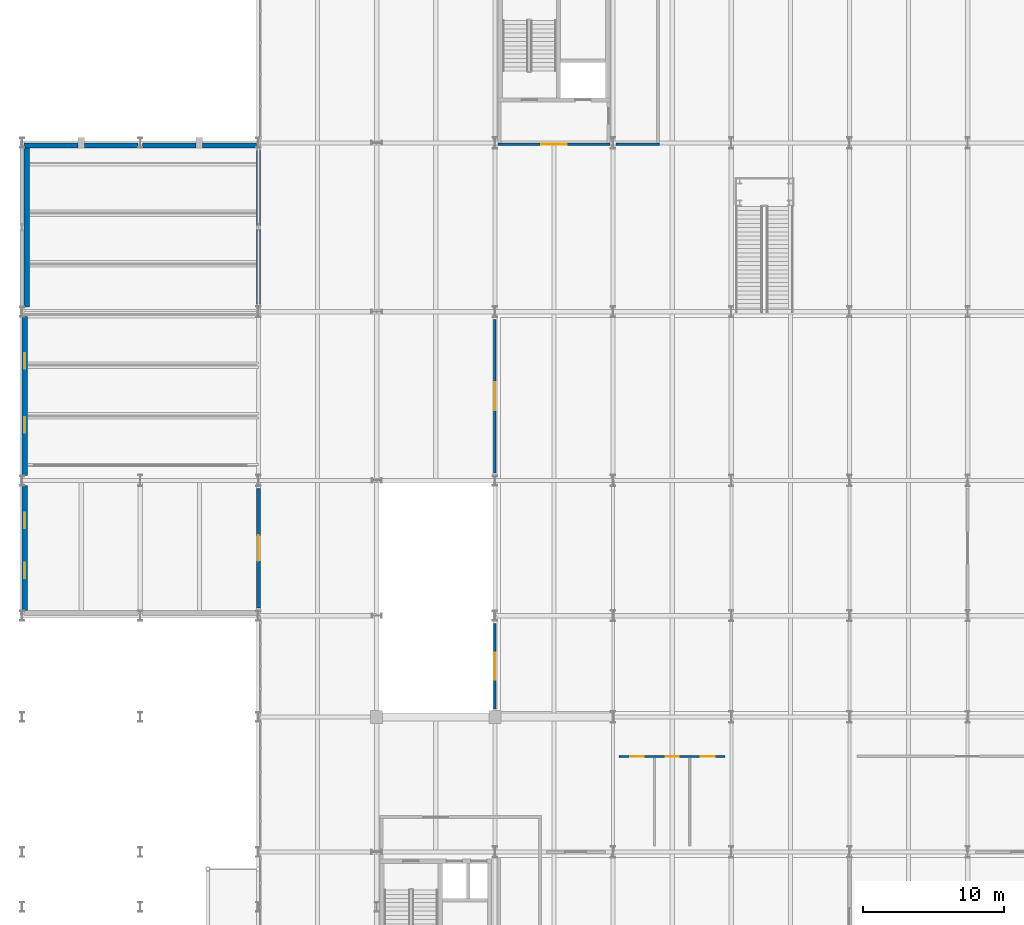
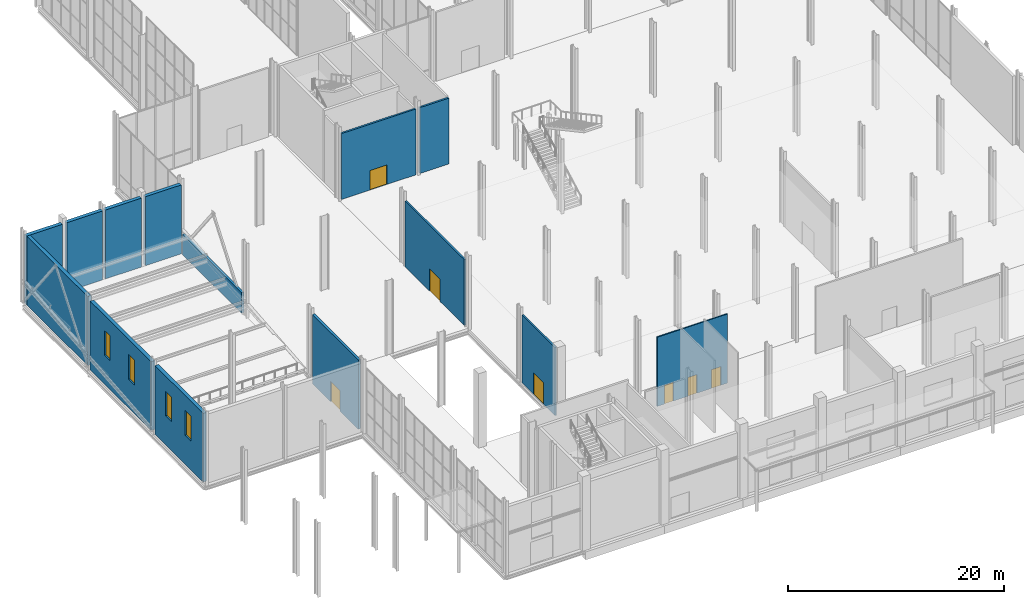
# One storey, part 116 of 131: 14 walls, 7 doors, 4 windows, 11 openings.
"""IFC4 building model written with IfcOpenShell, lengths in metres."""

from ifc_helpers import new_model, si_unit, direction, frame, frame_2d, origin, place, context, subcontext, project, spatial, rectangle, extrude, material, layer, layer_set, type_object, element, fill, save


model = new_model("IFC4")

# Units and contexts
model_context = context("Model", 3, precision=1e-05, world=origin(), true_north=direction((0.0, 1.0)))
body_context = subcontext(model_context, "Body", "Model", "MODEL_VIEW")
ifc_project = project(units=[si_unit("LENGTHUNIT", "METRE"), si_unit("AREAUNIT", "SQUARE_METRE"), si_unit("VOLUMEUNIT", "CUBIC_METRE"), si_unit("PLANEANGLEUNIT", "RADIAN"), si_unit("MASSUNIT", "GRAM", prefix="KILO")], contexts=[model_context])

# Site, building, storey
site_placement = place(None, origin())
site = spatial("IfcSite", under=ifc_project, at=site_placement, CompositionType="ELEMENT")
building_placement = place(site_placement, origin())
building = spatial("IfcBuilding", under=site, at=building_placement, Name="Veltarok Museum of Natural Sciences", CompositionType="ELEMENT")
storey_placement = place(building_placement, origin())
storey = spatial("IfcBuildingStorey", under=building, at=storey_placement, Name="L00", CompositionType="ELEMENT", Elevation=0.0)

# Wall, openings, windows
ifc_material_1 = material(Name="Concrete C40/50", Category="concrete")
ifc_layer_1 = layer(ifc_material_1, 0.3798828125)
ifc_layer_set_1 = layer_set([ifc_layer_1], Name="Concrete C40/50")
wall_type_1 = type_object("IfcWallType", Name="Auditorium Acoustic Concrete Facade Wall 380", PredefinedType="SOLIDWALL", material=ifc_layer_set_1)
wall_1_placement = place(storey_placement, frame((6.590087890625, 35.64990234375, 0.0), z_axis=(0.0, 0.0, 1.0), x_axis=(0.0, -1.0, 0.0)))
wall_1 = element("IfcWall", 1, at=wall_1_placement, inside=storey, type_object=wall_type_1, Name="Auditorium West Acoustic Wall L00 D-E", PredefinedType="SOLIDWALL", context=body_context, shape_type="SweptSolid", body=[
    extrude(rectangle(XDim=8.89990234375, YDim=0.3798828125, at=frame_2d((4.449951171875, 0.0))), origin(), (0.0, 0.0, 1.0), 7.75),
])
opening_1_placement = place(wall_1_placement, frame((1.94189453125, 0.0, 3.25)))
opening_1 = element("IfcOpeningElement", 2, at=opening_1_placement, cuts=wall_1, Name="Opening W-L00-007", PredefinedType="OPENING", context=body_context, shape_type="SweptSolid", body=[
    extrude(rectangle(XDim=1.10009765625, YDim=2.800048828125, at=frame_2d((0.550048828125, 1.39990234375))), frame((0.0, 0.199951171875, 0.0), z_axis=(0.0, -1.0, 0.0), x_axis=(1.0, 0.0, 0.0)), (0.0, 0.0, 1.0), 0.39990234375),
])
opening_2_placement = place(wall_1_placement, frame((5.501953125, 0.0, 3.25)))
opening_2 = element("IfcOpeningElement", 3, at=opening_2_placement, cuts=wall_1, Name="Opening W-L00-008", PredefinedType="OPENING", context=body_context, shape_type="SweptSolid", body=[
    extrude(rectangle(XDim=1.10009765625, YDim=2.800048828125, at=frame_2d((0.550048828125, 1.39990234375))), frame((0.0, 0.199951171875, 0.0), z_axis=(0.0, -1.0, 0.0), x_axis=(1.0, 0.0, 0.0)), (0.0, 0.0, 1.0), 0.39990234375),
])
ifc_material_2 = material(Name="Low-iron triple insulated glass", Category="glass")
window_type = type_object("IfcWindowType", Name="Constructivist Slot Window 1100x2800", PartitioningType="SINGLE_PANEL", PredefinedType="WINDOW", material=ifc_material_2)
window_1_placement = place(opening_1_placement, origin())
window_1 = element("IfcWindow", 4, at=window_1_placement, inside=storey, type_object=window_type, Name="Auditorium Slot Window L00 7", OverallHeight=2.800048828125, OverallWidth=1.10009765625, PartitioningType="SINGLE_PANEL", PredefinedType="WINDOW", context=body_context, shape_type="SweptSolid", body=[
    extrude(rectangle(XDim=1.10009765625, YDim=2.800048828125, at=frame_2d((0.550048828125, 1.39990234375))), frame((0.0, 0.030029296875, 0.0), z_axis=(0.0, -1.0, 0.0), x_axis=(1.0, 0.0, 0.0)), (0.0, 0.0, 1.0), 0.06005859375),
])
fill(opening_1, window_1)
window_2_placement = place(opening_2_placement, origin())
window_2 = element("IfcWindow", 5, at=window_2_placement, inside=storey, type_object=window_type, Name="Auditorium Slot Window L00 8", OverallHeight=2.800048828125, OverallWidth=1.10009765625, PartitioningType="SINGLE_PANEL", PredefinedType="WINDOW", context=body_context, shape_type="SweptSolid", body=[
    extrude(rectangle(XDim=1.10009765625, YDim=2.800048828125, at=frame_2d((0.550048828125, 1.39990234375))), frame((0.0, 0.030029296875, 0.0), z_axis=(0.0, -1.0, 0.0), x_axis=(1.0, 0.0, 0.0)), (0.0, 0.0, 1.0), 0.06005859375),
])
fill(opening_2, window_2)

wall_2_placement = place(storey_placement, frame((6.590087890625, 47.64990234375, 0.0), z_axis=(0.0, 0.0, 1.0), x_axis=(0.0, -1.0, 0.0)))
wall_2 = element("IfcWall", 6, at=wall_2_placement, inside=storey, type_object=wall_type_1, Name="Auditorium West Acoustic Wall L00 E-F", PredefinedType="SOLIDWALL", context=body_context, shape_type="SweptSolid", body=[
    extrude(rectangle(XDim=11.2998046875, YDim=0.3798828125, at=frame_2d((5.64990234375, 0.0))), origin(), (0.0, 0.0, 1.0), 7.75),
])
opening_3_placement = place(wall_2_placement, frame((2.614013671875, 0.0, 3.25)))
opening_3 = element("IfcOpeningElement", 7, at=opening_3_placement, cuts=wall_2, Name="Opening W-L00-009", PredefinedType="OPENING", context=body_context, shape_type="SweptSolid", body=[
    extrude(rectangle(XDim=1.10009765625, YDim=2.800048828125, at=frame_2d((0.550048828125, 1.39990234375))), frame((0.0, 0.199951171875, 0.0), z_axis=(0.0, -1.0, 0.0), x_axis=(1.0, 0.0, 0.0)), (0.0, 0.0, 1.0), 0.39990234375),
])
opening_4_placement = place(wall_2_placement, frame((7.134033203125, 0.0, 3.25)))
opening_4 = element("IfcOpeningElement", 8, at=opening_4_placement, cuts=wall_2, Name="Opening W-L00-010", PredefinedType="OPENING", context=body_context, shape_type="SweptSolid", body=[
    extrude(rectangle(XDim=1.10009765625, YDim=2.800048828125, at=frame_2d((0.550048828125, 1.39990234375))), frame((0.0, 0.199951171875, 0.0), z_axis=(0.0, -1.0, 0.0), x_axis=(1.0, 0.0, 0.0)), (0.0, 0.0, 1.0), 0.39990234375),
])
window_3_placement = place(opening_3_placement, origin())
window_3 = element("IfcWindow", 9, at=window_3_placement, inside=storey, type_object=window_type, Name="Auditorium Slot Window L00 9", OverallHeight=2.800048828125, OverallWidth=1.10009765625, PartitioningType="SINGLE_PANEL", PredefinedType="WINDOW", context=body_context, shape_type="SweptSolid", body=[
    extrude(rectangle(XDim=1.10009765625, YDim=2.800048828125, at=frame_2d((0.550048828125, 1.39990234375))), frame((0.0, 0.030029296875, 0.0), z_axis=(0.0, -1.0, 0.0), x_axis=(1.0, 0.0, 0.0)), (0.0, 0.0, 1.0), 0.06005859375),
])
fill(opening_3, window_3)
window_4_placement = place(opening_4_placement, origin())
window_4 = element("IfcWindow", 10, at=window_4_placement, inside=storey, type_object=window_type, Name="Auditorium Slot Window L00 10", OverallHeight=2.800048828125, OverallWidth=1.10009765625, PartitioningType="SINGLE_PANEL", PredefinedType="WINDOW", context=body_context, shape_type="SweptSolid", body=[
    extrude(rectangle(XDim=1.10009765625, YDim=2.800048828125, at=frame_2d((0.550048828125, 1.39990234375))), frame((0.0, 0.030029296875, 0.0), z_axis=(0.0, -1.0, 0.0), x_axis=(1.0, 0.0, 0.0)), (0.0, 0.0, 1.0), 0.06005859375),
])
fill(opening_4, window_4)

# Walls
for number, where, z_axis, x_axis, name in (
    (11, (10.375, 59.81005859375, 0.0), (0.0, 0.0, 1.0), (-1.0, 0.0, 0.0), "Auditorium North Acoustic Wall L00 1A"),
    (12, (14.64990234375, 59.81005859375, 0.0), (0.0, 0.0, 1.0), (-1.0, 0.0, 0.0), "Auditorium North Acoustic Wall L00 1B"),
    (13, (18.77490234375, 59.81005859375, 0.0), (0.0, 0.0, 1.0), (-1.0, 0.0, 0.0), "Auditorium North Acoustic Wall L00 2A"),
    (14, (23.050048828125, 59.81005859375, 0.0), (0.0, 0.0, 1.0), (-1.0, 0.0, 0.0), "Auditorium North Acoustic Wall L00 2B"),
):
    element("IfcWall", number, at=place(storey_placement, frame(where, z_axis=z_axis, x_axis=x_axis)), inside=storey, type_object=wall_type_1, Name=name, PredefinedType="SOLIDWALL", context=body_context, shape_type="SweptSolid", body=[
        extrude(rectangle(XDim=3.824951171875, YDim=0.3798828125, at=frame_2d((1.91259765625, 0.0))), origin(), (0.0, 0.0, 1.0), 7.780029296875),
    ])
wall_3_placement = place(storey_placement, frame((6.739990234375, 59.64990234375, 0.0), z_axis=(0.0, 0.0, 1.0), x_axis=(0.0, -1.0, 0.0)))
element("IfcWall", 15, at=wall_3_placement, inside=storey, type_object=wall_type_1, Name="Auditorium West Braced Bay Backup Wall L00", PredefinedType="SOLIDWALL", context=body_context, shape_type="SweptSolid", body=[
    extrude(rectangle(XDim=11.2998046875, YDim=0.3798828125, at=frame_2d((5.64990234375, 0.0))), origin(), (0.0, 0.0, 1.0), 7.780029296875),
])
ifc_material_3 = material(Name="Acoustic gypsum and mineral wool")
ifc_layer_2 = layer(ifc_material_3, 0.260009765625)
ifc_layer_set_2 = layer_set([ifc_layer_2], Name="Acoustic gypsum and mineral wool")
wall_type_2 = type_object("IfcWallType", Name="Auditorium Double Acoustic Partition 260", PredefinedType="PARTITIONING", material=ifc_layer_set_2)
wall_4_placement = place(storey_placement, frame((23.199951171875, 48.550048828125, 0.0), z_axis=(0.0, 0.0, 1.0), x_axis=(0.0, 1.0, 0.0)))
element("IfcWall", 16, at=wall_4_placement, inside=storey, type_object=wall_type_2, Name="Auditorium Rear Acoustic Wall L00", PredefinedType="PARTITIONING", context=body_context, shape_type="SweptSolid", body=[
    extrude(rectangle(XDim=10.89990234375, YDim=0.260009765625, at=frame_2d((5.449951171875, 0.0))), origin(), (0.0, 0.0, 1.0), 2.322021484375),
])

# Wall, opening, door
wall_5_placement = place(storey_placement, frame((23.199951171875, 26.949951171875, 0.0), z_axis=(0.0, 0.0, 1.0), x_axis=(0.0, 1.0, 0.0)))
wall_5 = element("IfcWall", 17, at=wall_5_placement, inside=storey, type_object=wall_type_2, Name="Interior Partition L00-015", PredefinedType="PARTITIONING", context=body_context, shape_type="SweptSolid", body=[
    extrude(rectangle(XDim=8.5, YDim=0.260009765625, at=frame_2d((4.25, 0.0))), origin(), (0.0, 0.0, 1.0), 7.81201171875),
])
opening_5_placement = place(wall_5_placement, frame((3.35009765625, 0.0, 0.0)))
opening_5 = element("IfcOpeningElement", 18, at=opening_5_placement, cuts=wall_5, Name="Opening D-L00-141", PredefinedType="OPENING", context=body_context, shape_type="SweptSolid", body=[
    extrude(rectangle(XDim=1.800048828125, YDim=2.300048828125, at=frame_2d((0.89990234375, 1.14990234375))), frame((0.0, 0.14013671875, 0.0), z_axis=(0.0, -1.0, 0.0), x_axis=(1.0, 0.0, 0.0)), (0.0, 0.0, 1.0), 0.280029296875),
])
ifc_material_4 = material(Name="Acoustic timber and steel core", Category="steel")
door_type_1 = type_object("IfcDoorType", Name="Auditorium Acoustic Double Door 1800x2300", OperationType="NOTDEFINED", PredefinedType="DOOR", material=ifc_material_4)
door_1_placement = place(opening_5_placement, origin())
door_1 = element("IfcDoor", 19, at=door_1_placement, inside=storey, type_object=door_type_1, Name="Interior Door D-L00-141", OperationType="DOUBLE_DOOR_SINGLE_SWING", OverallHeight=2.300048828125, OverallWidth=1.800048828125, PredefinedType="DOOR", context=body_context, shape_type="SweptSolid", body=[
    extrude(rectangle(XDim=1.800048828125, YDim=2.300048828125, at=frame_2d((0.89990234375, 1.14990234375))), frame((0.0, 0.02490234375, 0.0), z_axis=(0.0, -1.0, 0.0), x_axis=(1.0, 0.0, 0.0)), (0.0, 0.0, 1.0), 0.050048828125),
])
fill(opening_5, door_1)

ifc_layer_3 = layer(ifc_material_3, 0.179931640625)
ifc_layer_set_3 = layer_set([ifc_layer_3], Name="Acoustic gypsum and mineral wool")
wall_type_3 = type_object("IfcWallType", Name="Exhibition Gallery Partition 180", PredefinedType="PARTITIONING", material=ifc_layer_set_3)
wall_6_placement = place(storey_placement, frame((40.0, 19.75, 0.0), z_axis=(0.0, 0.0, 1.0), x_axis=(0.0, 1.0, 0.0)))
wall_6 = element("IfcWall", 20, at=wall_6_placement, inside=storey, type_object=wall_type_3, Name="Interior Partition L00-016", PredefinedType="PARTITIONING", context=body_context, shape_type="SweptSolid", body=[
    extrude(rectangle(XDim=6.10009765625, YDim=0.179931640625, at=frame_2d((3.050048828125, 0.0))), origin(), (0.0, 0.0, 1.0), 7.681884765625),
])
opening_6_placement = place(wall_6_placement, frame((2.10009765625, 0.0, 0.0)))
opening_6 = element("IfcOpeningElement", 21, at=opening_6_placement, cuts=wall_6, Name="Opening D-L00-142", PredefinedType="OPENING", context=body_context, shape_type="SweptSolid", body=[
    extrude(rectangle(XDim=1.89990234375, YDim=2.449951171875, at=frame_2d((0.949951171875, 1.22509765625))), frame((0.0, 0.10009765625, 0.0), z_axis=(0.0, -1.0, 0.0), x_axis=(1.0, 0.0, 0.0)), (0.0, 0.0, 1.0), 0.199951171875),
])
ifc_material_5 = material(Name="Solid European oak and acoustic glass", Category="glass")
door_type_2 = type_object("IfcDoorType", Name="Exhibition Hall Double Door 1900x2450", OperationType="NOTDEFINED", PredefinedType="DOOR", material=ifc_material_5)
door_2_placement = place(opening_6_placement, origin())
door_2 = element("IfcDoor", 22, at=door_2_placement, inside=storey, type_object=door_type_2, Name="Interior Door D-L00-142", OperationType="DOUBLE_DOOR_SINGLE_SWING", OverallHeight=2.449951171875, OverallWidth=1.89990234375, PredefinedType="DOOR", context=body_context, shape_type="SweptSolid", body=[
    extrude(rectangle(XDim=1.89990234375, YDim=2.449951171875, at=frame_2d((0.949951171875, 1.22509765625))), frame((0.0, 0.02490234375, 0.0), z_axis=(0.0, -1.0, 0.0), x_axis=(1.0, 0.0, 0.0)), (0.0, 0.0, 1.0), 0.050048828125),
])
fill(opening_6, door_2)

wall_7_placement = place(storey_placement, frame((40.0, 36.550048828125, 0.0), z_axis=(0.0, 0.0, 1.0), x_axis=(0.0, 1.0, 0.0)))
wall_7 = element("IfcWall", 23, at=wall_7_placement, inside=storey, type_object=wall_type_3, Name="Interior Partition L00-017", PredefinedType="PARTITIONING", context=body_context, shape_type="SweptSolid", body=[
    extrude(rectangle(XDim=10.89990234375, YDim=0.179931640625, at=frame_2d((5.449951171875, 0.0))), origin(), (0.0, 0.0, 1.0), 7.431884765625),
])
opening_7_placement = place(wall_7_placement, frame((4.449951171875, 0.0, 0.0)))
opening_7 = element("IfcOpeningElement", 24, at=opening_7_placement, cuts=wall_7, Name="Opening D-L00-143", PredefinedType="OPENING", context=body_context, shape_type="SweptSolid", body=[
    extrude(rectangle(XDim=2.0, YDim=2.5, at=frame_2d((1.0, 1.25))), frame((0.0, 0.10009765625, 0.0), z_axis=(0.0, -1.0, 0.0), x_axis=(1.0, 0.0, 0.0)), (0.0, 0.0, 1.0), 0.199951171875),
])
door_type_3 = type_object("IfcDoorType", Name="Exhibition Hall Double Portal Door 2000x2500", OperationType="NOTDEFINED", PredefinedType="DOOR", material=ifc_material_5)
door_3_placement = place(opening_7_placement, origin())
door_3 = element("IfcDoor", 25, at=door_3_placement, inside=storey, type_object=door_type_3, Name="Interior Door D-L00-143", OperationType="DOUBLE_DOOR_SINGLE_SWING", OverallHeight=2.5, OverallWidth=2.0, PredefinedType="DOOR", context=body_context, shape_type="SweptSolid", body=[
    extrude(rectangle(XDim=2.0, YDim=2.5, at=frame_2d((1.0, 1.25))), frame((0.0, 0.02490234375, 0.0), z_axis=(0.0, -1.0, 0.0), x_axis=(1.0, 0.0, 0.0)), (0.0, 0.0, 1.0), 0.050048828125),
])
fill(opening_7, door_3)

ifc_material_6 = material(Name="Concrete C35/45", Category="concrete")
ifc_layer_4 = layer(ifc_material_6, 0.199951171875)
ifc_layer_set_4 = layer_set([ifc_layer_4], Name="Concrete C35/45")
wall_type_4 = type_object("IfcWallType", Name="Firefighting Lobby Compartment Wall 200", PredefinedType="SOLIDWALL", material=ifc_layer_set_4)
wall_8_placement = place(storey_placement, frame((48.169921875, 59.89990234375, 0.0), z_axis=(0.0, 0.0, 1.0), x_axis=(-1.0, 0.0, 0.0)))
wall_8 = element("IfcWall", 26, at=wall_8_placement, inside=storey, type_object=wall_type_4, Name="Firefighting Lobby Wall C3 L00 S", PredefinedType="SOLIDWALL", context=body_context, shape_type="SweptSolid", body=[
    extrude(rectangle(XDim=7.93994140625, YDim=0.199951171875, at=frame_2d((3.969970703125, 0.0))), origin(), (0.0, 0.0, 1.0), 7.431884765625),
])
opening_8_placement = place(wall_8_placement, frame((3.070068359375, 0.0, 0.0)))
opening_8 = element("IfcOpeningElement", 27, at=opening_8_placement, cuts=wall_8, Name="Opening D-L00-017", PredefinedType="OPENING", context=body_context, shape_type="SweptSolid", body=[
    extrude(rectangle(XDim=1.800048828125, YDim=2.199951171875, at=frame_2d((0.89990234375, 1.10009765625))), frame((0.0, 0.10986328125, 0.0), z_axis=(0.0, -1.0, 0.0), x_axis=(1.0, 0.0, 0.0)), (0.0, 0.0, 1.0), 0.219970703125),
])
ifc_material_7 = material(Name="Fire-rated steel and vision glass", Category="steel")
door_type_4 = type_object("IfcDoorType", Name="Fire Lobby Double Door 1800x2200", OperationType="NOTDEFINED", PredefinedType="DOOR", material=ifc_material_7)
door_4_placement = place(opening_8_placement, origin())
door_4 = element("IfcDoor", 28, at=door_4_placement, inside=storey, type_object=door_type_4, Name="Firefighting Lobby Entrance Door C3 L00", OperationType="DOUBLE_DOOR_SINGLE_SWING", OverallHeight=2.199951171875, OverallWidth=1.800048828125, PredefinedType="DOOR", context=body_context, shape_type="SweptSolid", body=[
    extrude(rectangle(XDim=1.800048828125, YDim=2.199951171875, at=frame_2d((0.89990234375, 1.10009765625))), frame((0.0, 0.02490234375, 0.0), z_axis=(0.0, -1.0, 0.0), x_axis=(1.0, 0.0, 0.0)), (0.0, 0.0, 1.0), 0.050048828125),
])
fill(opening_8, door_4)

# Wall
wall_9_placement = place(storey_placement, frame((51.699951171875, 59.89990234375, 0.0), z_axis=(0.0, 0.0, 1.0), x_axis=(-1.0, 0.0, 0.0)))
element("IfcWall", 29, at=wall_9_placement, inside=storey, type_object=wall_type_4, Name="Firefighting Lobby Wall C3 L00 EPS", PredefinedType="SOLIDWALL", context=body_context, shape_type="SweptSolid", body=[
    extrude(rectangle(XDim=3.099853515625, YDim=0.199951171875, at=frame_2d((1.5498046875, 0.0))), origin(), (0.0, 0.0, 1.0), 7.431884765625),
])

# Wall, openings, doors
ifc_layer_5 = layer(ifc_material_3, 0.125)
ifc_layer_set_5 = layer_set([ifc_layer_5], Name="Acoustic gypsum and mineral wool")
wall_type_5 = type_object("IfcWallType", Name="Sanitary Core Moisture-Resistant Partition 125", PredefinedType="PARTITIONING", material=ifc_layer_set_5)
wall_10_placement = place(storey_placement, frame((48.85009765625, 16.39990234375, 0.0), z_axis=(0.0, 0.0, 1.0), x_axis=(1.0, 0.0, 0.0)))
wall_10 = element("IfcWall", 30, at=wall_10_placement, inside=storey, type_object=wall_type_5, Name="Restroom Corridor Wall L00", PredefinedType="PARTITIONING", context=body_context, shape_type="SweptSolid", body=[
    extrude(rectangle(XDim=7.5, YDim=0.125, at=frame_2d((3.75, 0.0))), origin(), (0.0, 0.0, 1.0), 7.802001953125),
])
opening_9_placement = place(wall_10_placement, frame((0.77490234375, 0.0, 0.0)))
opening_9 = element("IfcOpeningElement", 31, at=opening_9_placement, cuts=wall_10, Name="Opening D-L00-109", PredefinedType="OPENING", context=body_context, shape_type="SweptSolid", body=[
    extrude(rectangle(XDim=0.949951171875, YDim=2.10009765625, at=frame_2d((0.47509765625, 1.050048828125))), frame((0.0, 0.072509765625, 0.0), z_axis=(0.0, -1.0, 0.0), x_axis=(1.0, 0.0, 0.0)), (0.0, 0.0, 1.0), 0.14501953125),
])
opening_10_placement = place(wall_10_placement, frame((3.27490234375, 0.0, 0.0)))
opening_10 = element("IfcOpeningElement", 32, at=opening_10_placement, cuts=wall_10, Name="Opening D-L00-110", PredefinedType="OPENING", context=body_context, shape_type="SweptSolid", body=[
    extrude(rectangle(XDim=0.949951171875, YDim=2.10009765625, at=frame_2d((0.47509765625, 1.050048828125))), frame((0.0, 0.072509765625, 0.0), z_axis=(0.0, -1.0, 0.0), x_axis=(1.0, 0.0, 0.0)), (0.0, 0.0, 1.0), 0.14501953125),
])
opening_11_placement = place(wall_10_placement, frame((5.77490234375, 0.0, 0.0)))
opening_11 = element("IfcOpeningElement", 33, at=opening_11_placement, cuts=wall_10, Name="Opening D-L00-111", PredefinedType="OPENING", context=body_context, shape_type="SweptSolid", body=[
    extrude(rectangle(XDim=1.0, YDim=2.1201171875, at=frame_2d((0.5, 1.06005859375))), frame((0.0, 0.072509765625, 0.0), z_axis=(0.0, -1.0, 0.0), x_axis=(1.0, 0.0, 0.0)), (0.0, 0.0, 1.0), 0.14501953125),
])
ifc_material_8 = material(Name="Moisture-resistant HPL")
door_type_5 = type_object("IfcDoorType", Name="Accessible Restroom Wide Door 1000x2120", OperationType="NOTDEFINED", PredefinedType="DOOR", material=ifc_material_8)
door_5_placement = place(opening_11_placement, frame((1.0, 0.0, 0.0), z_axis=(0.0, 0.0, 1.0), x_axis=(-1.0, 0.0, 0.0)))
door_5 = element("IfcDoor", 34, at=door_5_placement, inside=storey, type_object=door_type_5, Name="Restroom Door D-L00-111", OperationType="SINGLE_SWING_LEFT", OverallHeight=2.1201171875, OverallWidth=1.0, PredefinedType="DOOR", context=body_context, shape_type="SweptSolid", body=[
    extrude(rectangle(XDim=1.0, YDim=2.1201171875, at=frame_2d((0.5, 1.06005859375))), frame((0.0, 0.02490234375, 0.0), z_axis=(0.0, -1.0, 0.0), x_axis=(1.0, 0.0, 0.0)), (0.0, 0.0, 1.0), 0.050048828125),
])
fill(opening_11, door_5)
door_type_6 = type_object("IfcDoorType", Name="Accessible Sanitary Room Door 950x2100", OperationType="NOTDEFINED", PredefinedType="DOOR", material=ifc_material_8)
door_6_placement = place(opening_9_placement, frame((0.949951171875, 0.0, 0.0), z_axis=(0.0, 0.0, 1.0), x_axis=(-1.0, 0.0, 0.0)))
door_6 = element("IfcDoor", 35, at=door_6_placement, inside=storey, type_object=door_type_6, Name="Restroom Door D-L00-109", OperationType="SINGLE_SWING_LEFT", OverallHeight=2.10009765625, OverallWidth=0.949951171875, PredefinedType="DOOR", context=body_context, shape_type="SweptSolid", body=[
    extrude(rectangle(XDim=0.949951171875, YDim=2.10009765625, at=frame_2d((0.47509765625, 1.050048828125))), frame((0.0, 0.02490234375, 0.0), z_axis=(0.0, -1.0, 0.0), x_axis=(1.0, 0.0, 0.0)), (0.0, 0.0, 1.0), 0.050048828125),
])
fill(opening_9, door_6)
door_7_placement = place(opening_10_placement, frame((0.949951171875, 0.0, 0.0), z_axis=(0.0, 0.0, 1.0), x_axis=(-1.0, 0.0, 0.0)))
door_7 = element("IfcDoor", 36, at=door_7_placement, inside=storey, type_object=door_type_6, Name="Restroom Door D-L00-110", OperationType="SINGLE_SWING_RIGHT", OverallHeight=2.10009765625, OverallWidth=0.949951171875, PredefinedType="DOOR", context=body_context, shape_type="SweptSolid", body=[
    extrude(rectangle(XDim=0.949951171875, YDim=2.10009765625, at=frame_2d((0.47509765625, 1.050048828125))), frame((0.0, 0.02490234375, 0.0), z_axis=(0.0, -1.0, 0.0), x_axis=(1.0, 0.0, 0.0)), (0.0, 0.0, 1.0), 0.050048828125),
])
fill(opening_10, door_7)

save(model, "model.ifc")
